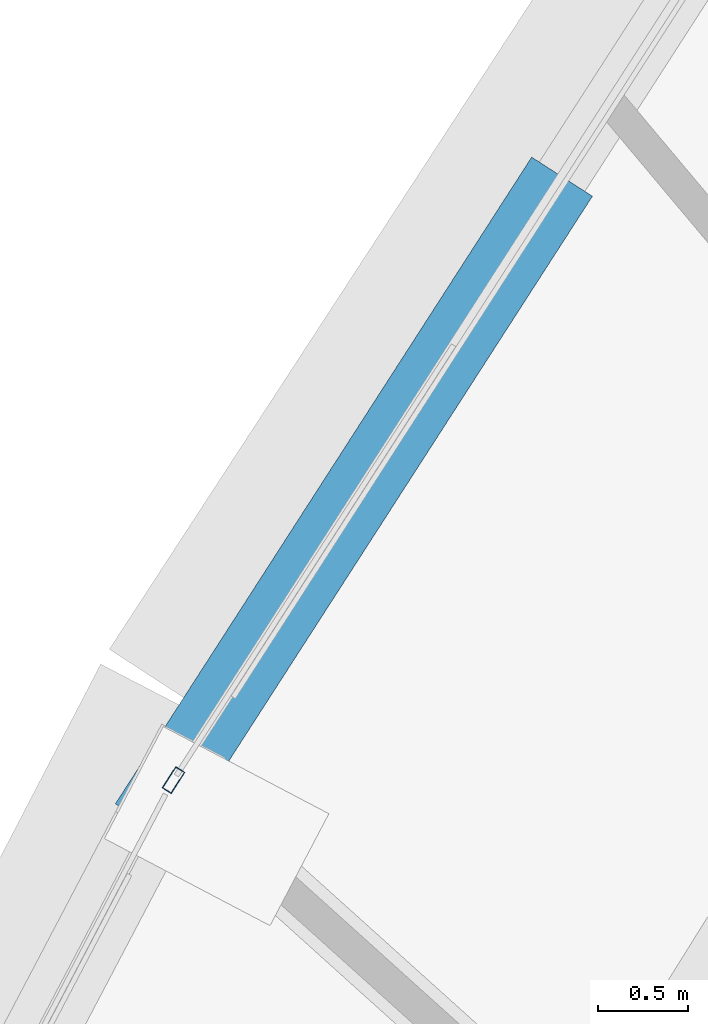
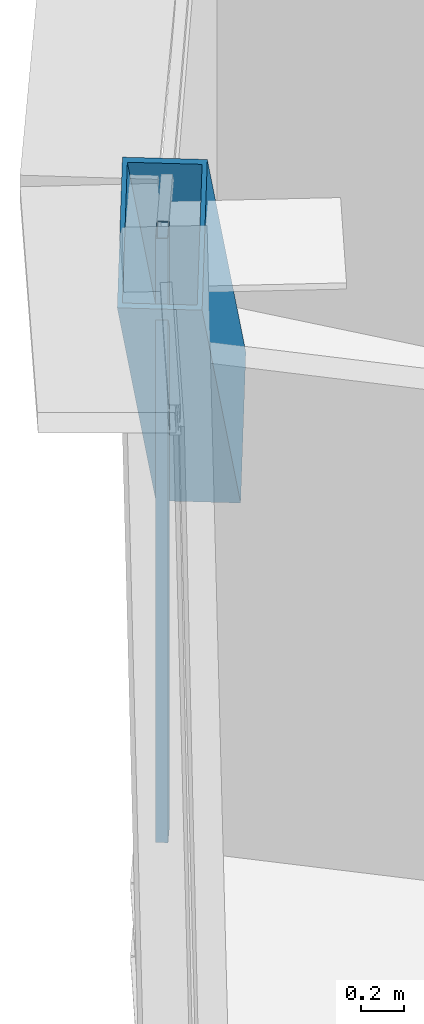
# One storey, part 14 of 35: 2 members, 1 element without a shape of its own.
"""IFC4 building model written with IfcOpenShell, lengths in metres."""

import ifcopenshell
import ifcopenshell.guid

model = None  # the IFC model being written
_history = None  # IfcOwnerHistory: only IFC2X3 demands one
_inside = {}  # id of a spatial element -> (the spatial element, [elements in it])
_under = {}  # id of a project, library or spatial element -> (it, [spatial elements below it])
_declared = {}  # id of a project -> (the project, [libraries it declares])
_typed = {}  # id of a type object -> (the type object, [elements of that type])
_made_of = {}  # id of a material, layer set ... -> (it, [elements and type objects made of it])


def new_model(schema):
    """Start an empty IFC model of exactly this schema.

    Asked for "IFC4X3", IfcOpenShell would pick the latest addendum, in which some entities
    have other attributes; the version numbers below select the first issue.
    IFC2X3 requires an IfcOwnerHistory on every rooted entity: one is made here for all.
    """
    global model, _history
    if schema == "IFC4X3":
        model = ifcopenshell.file(schema_version=(4, 3, 0, 0))
    else:
        model = ifcopenshell.file(schema=schema)
    _inside.clear()
    _under.clear()
    _declared.clear()
    _typed.clear()
    _made_of.clear()
    _history = None
    if model.schema == "IFC2X3":
        org = make("IfcOrganization", Name="unknown")
        user = make(
            "IfcPersonAndOrganization",
            ThePerson=make("IfcPerson", FamilyName="unknown"),
            TheOrganization=org,
        )
        app = make(
            "IfcApplication",
            ApplicationDeveloper=org,
            Version="unknown",
            ApplicationFullName="unknown",
            ApplicationIdentifier="unknown",
        )
        _history = make(
            "IfcOwnerHistory",
            OwningUser=user,
            OwningApplication=app,
            ChangeAction="ADDED",
            CreationDate=0,
        )
    return model


def make(cls, **values):
    """One entity of the class cls with the attributes given. An attribute that is None is left unset."""
    return model.create_entity(
        cls, **{name: value for name, value in values.items() if value is not None}
    )


def rooted(cls, **values):
    """An entity with a GlobalId (a new one), such as an element, a storey or a relation."""
    return make(cls, GlobalId=ifcopenshell.guid.new(), OwnerHistory=_history, **values)


def si_unit(unit_type, name, prefix=None):
    """IfcSIUnit, for example si_unit("LENGTHUNIT", "METRE", prefix="MILLI")."""
    return make("IfcSIUnit", UnitType=unit_type, Prefix=prefix, Name=name)


def assignment(units):
    """IfcUnitAssignment: the units of a project."""
    return None if units is None else make("IfcUnitAssignment", Units=units)


def point(xyz):
    """IfcCartesianPoint."""
    return None if xyz is None else make("IfcCartesianPoint", Coordinates=xyz)


def direction(xyz):
    """IfcDirection."""
    return None if xyz is None else make("IfcDirection", DirectionRatios=xyz)


def frame(location, z_axis=None, x_axis=None):
    """IfcAxis2Placement3D, a coordinate frame: its origin and axes. An axis left out is left unset."""
    return make(
        "IfcAxis2Placement3D",
        Location=point(location),
        Axis=direction(z_axis),
        RefDirection=direction(x_axis),
    )


def frame_2d(location, x_axis=None):
    """IfcAxis2Placement2D, a coordinate frame in the plane: its origin and x axis."""
    return make(
        "IfcAxis2Placement2D", Location=point(location), RefDirection=direction(x_axis)
    )


def origin():
    """The frame at (0, 0, 0) with its axes left unset."""
    return frame((0.0, 0.0, 0.0))


def origin_2d():
    """The frame at (0, 0) in the plane with its x axis left unset."""
    return frame_2d((0.0, 0.0))


def place(relative_to, where):
    """IfcLocalPlacement: puts the frame where relative to a parent placement (None: the world)."""
    return make(
        "IfcLocalPlacement", PlacementRelTo=relative_to, RelativePlacement=where
    )


def context(
    kind, dimensions, precision=None, world=None, true_north=None, identifier=None
):
    """IfcGeometricRepresentationContext, for example the 3D "Model" context."""
    return make(
        "IfcGeometricRepresentationContext",
        ContextIdentifier=identifier,
        ContextType=kind,
        CoordinateSpaceDimension=dimensions,
        Precision=precision,
        WorldCoordinateSystem=world,
        TrueNorth=true_north,
    )


def subcontext(parent, identifier, kind, view, scale=None):
    """IfcGeometricRepresentationSubContext, for example "Body" below "Model"."""
    return make(
        "IfcGeometricRepresentationSubContext",
        ContextIdentifier=identifier,
        ContextType=kind,
        ParentContext=parent,
        TargetScale=scale,
        TargetView=view,
    )


def project(units=None, contexts=None):
    """IfcProject with its units and contexts."""
    return rooted(
        "IfcProject",
        Name="project",
        RepresentationContexts=contexts,
        UnitsInContext=assignment(units),
    )


def spatial(cls, under=None, at=None, **own):
    """A site, building, storey or space (cls), placed at a placement, below another one or the project."""
    s = rooted(cls, ObjectPlacement=at, **own)
    if under is not None:
        _under.setdefault(under.id(), (under, []))[1].append(s)
    return s


def profile(cls, at=None, kind="AREA", **sizes):
    """A parametric profile (cls). Its sizes go by their IFC names, for example OverallWidth=200.0."""
    return make(cls, ProfileType=kind, Position=at, **sizes)


def hollow_rectangle(**sizes):
    """IfcRectangleHollowProfileDef."""
    return profile("IfcRectangleHollowProfileDef", **sizes)


def extrude(swept, where, along, depth):
    """IfcExtrudedAreaSolid: the profile swept, set in the frame where, extruded along a direction by depth."""
    return make(
        "IfcExtrudedAreaSolid",
        SweptArea=swept,
        Position=where,
        ExtrudedDirection=direction(along),
        Depth=depth,
    )


def shape(context_of_items, identifier, shape_type, items):
    """IfcShapeRepresentation: the items that make up one representation, for example the "Body"."""
    return make(
        "IfcShapeRepresentation",
        ContextOfItems=context_of_items,
        RepresentationIdentifier=identifier,
        RepresentationType=shape_type,
        Items=items,
    )


def source(mapping_origin, context_of_items, identifier, shape_type, items):
    """IfcRepresentationMap: a shape defined once, which mapped items show again and again."""
    return make(
        "IfcRepresentationMap",
        MappingOrigin=mapping_origin,
        MappedRepresentation=shape(context_of_items, identifier, shape_type, items),
    )


def transform(
    local_origin,
    x_axis=None,
    y_axis=None,
    z_axis=None,
    scale=None,
    scale2=None,
    scale3=None,
    uniform=True,
):
    """IfcCartesianTransformationOperator3D, or its non-uniform kind. x_axis, y_axis, z_axis: its Axis1, 2, 3."""
    if uniform:
        return make(
            "IfcCartesianTransformationOperator3D",
            Axis1=direction(x_axis),
            Axis2=direction(y_axis),
            LocalOrigin=point(local_origin),
            Scale=scale,
            Axis3=direction(z_axis),
        )
    return make(
        "IfcCartesianTransformationOperator3DnonUniform",
        Axis1=direction(x_axis),
        Axis2=direction(y_axis),
        LocalOrigin=point(local_origin),
        Scale=scale,
        Axis3=direction(z_axis),
        Scale2=scale2,
        Scale3=scale3,
    )


def mapped(mapping_source, mapping_target):
    """IfcMappedItem: shows the shape of a source again, moved by a transform."""
    return make(
        "IfcMappedItem", MappingSource=mapping_source, MappingTarget=mapping_target
    )


def material(Name=None, Category=None):
    """IfcMaterial."""
    return make("IfcMaterial", Name=Name, Category=Category)


def layer(
    of_material, thickness, ventilated=None, Name=None, Category=None, Priority=None
):
    """IfcMaterialLayer: one layer of a wall or slab, of a material (None: an air gap)."""
    return make(
        "IfcMaterialLayer",
        Material=of_material,
        LayerThickness=thickness,
        IsVentilated=ventilated,
        Name=Name,
        Category=Category,
        Priority=Priority,
    )


def layer_set(layers, Name=None):
    """IfcMaterialLayerSet."""
    return make("IfcMaterialLayerSet", MaterialLayers=layers, LayerSetName=Name)


def material_profile(
    of_material, cross_section, Name=None, Category=None, Priority=None
):
    """IfcMaterialProfile: a cross section and its material."""
    return make(
        "IfcMaterialProfile",
        Name=Name,
        Material=of_material,
        Profile=cross_section,
        Priority=Priority,
        Category=Category,
    )


def profile_set(profiles, Name=None, composite=None):
    """IfcMaterialProfileSet."""
    return make(
        "IfcMaterialProfileSet",
        Name=Name,
        MaterialProfiles=profiles,
        CompositeProfile=composite,
    )


def made_of(thing, what):
    """Note that an element or type object is made of a material, layer set ...; save() writes the relation."""
    if what is not None:
        _made_of.setdefault(what.id(), (what, []))[1].append(thing)
    return thing


def type_object(cls, material=None, **own):
    """A type object (cls), such as IfcWallType, which elements share."""
    return made_of(rooted(cls, **own), material)


def element(
    cls,
    number,
    at=None,
    inside=None,
    cuts=None,
    type_object=None,
    material=None,
    context=None,
    identifier="Body",
    shape_type=None,
    held_by="IfcProductDefinitionShape",
    body=None,
    shapes=None,
    **own,
):
    """One element of the class cls, such as IfcWall. Its Tag is "e" and its number.

    at: its placement. inside: the storey or other place that contains it. cuts: it is an
    opening in that element (IfcRelVoidsElement). A single representation is given by context,
    identifier, shape_type and body (its items); several are given by shapes. held_by: the class
    of the entity that holds the representations. save() writes the other relations.
    """
    e = rooted(cls, Tag="e%d" % number, ObjectPlacement=at, **own)
    if body is not None:
        shapes = [shape(context, identifier, shape_type, body)]
    if shapes is not None:
        e.Representation = make(held_by, Representations=shapes)
    if inside is not None:
        _inside.setdefault(inside.id(), (inside, []))[1].append(e)
    if cuts is not None:
        rooted(
            "IfcRelVoidsElement", RelatingBuildingElement=cuts, RelatedOpeningElement=e
        )
    if type_object is not None:
        _typed.setdefault(type_object.id(), (type_object, []))[1].append(e)
    return made_of(e, material)


def aggregate(whole, parts):
    """IfcRelAggregates: a whole, such as a stair, and the parts it consists of."""
    return rooted("IfcRelAggregates", RelatingObject=whole, RelatedObjects=parts)


def save(model, path):
    """Write the relations noted so far, then the file.

    IfcRelAggregates (storeys below a building ...), IfcRelContainedInSpatialStructure (elements
    in a storey), IfcRelDefinesByType, IfcRelAssociatesMaterial and IfcRelDeclares: one each for
    every whole, place, type object, material and project.
    """
    for whole, parts in _under.values():
        aggregate(whole, parts)
    for where, things in _inside.values():
        rooted(
            "IfcRelContainedInSpatialStructure",
            RelatedElements=things,
            RelatingStructure=where,
        )
    for kind, things in _typed.values():
        rooted("IfcRelDefinesByType", RelatedObjects=things, RelatingType=kind)
    for what, things in _made_of.values():
        rooted("IfcRelAssociatesMaterial", RelatedObjects=things, RelatingMaterial=what)
    for by, libraries in _declared.values():
        rooted("IfcRelDeclares", RelatingContext=by, RelatedDefinitions=libraries)
    model.write(path)


model = new_model("IFC4")

# Units and contexts
model_context = context("Model", 3, precision=1e-05, world=origin(), true_north=direction((0.0, 1.0)))
body_context = subcontext(model_context, "Body", "Model", "MODEL_VIEW")
ifc_project = project(units=[si_unit("LENGTHUNIT", "METRE"), si_unit("AREAUNIT", "SQUARE_METRE"), si_unit("VOLUMEUNIT", "CUBIC_METRE"), si_unit("PLANEANGLEUNIT", "RADIAN"), si_unit("MASSUNIT", "GRAM", prefix="KILO"), si_unit("THERMODYNAMICTEMPERATUREUNIT", "KELVIN"), si_unit("POWERUNIT", "WATT")], contexts=[model_context])

# Site, building, storey
site_placement = place(None, origin())
site = spatial("IfcSite", under=ifc_project, at=site_placement, CompositionType="ELEMENT")
building_placement = place(site_placement, origin())
building = spatial("IfcBuilding", under=site, at=building_placement, Name="Yunzhuo Pagoda Commons", CompositionType="ELEMENT")
storey_placement = place(building_placement, frame((0.0, 0.0, 237.070068359375)))
storey = spatial("IfcBuildingStorey", under=building, at=storey_placement, Name="L59", CompositionType="ELEMENT", Elevation=237.070068359375)

# Member
ifc_material_1 = material(Name="Structural steel Q355B", Category="steel")
ifc_material_profile_1 = material_profile(ifc_material_1, hollow_rectangle(XDim=0.39990234375, YDim=0.719970703125, WallThickness=0.02392578125, at=origin_2d()), Name="Structural steel Q355B")
ifc_profile_set_1 = profile_set([ifc_material_profile_1], Name="Structural steel Q355B")
member_type_1 = type_object("IfcMemberType", Name="M-DL2 Brace BOX 720x400x24", PredefinedType="BRACE", material=ifc_profile_set_1)
shared_shape_1 = source(origin(), body_context, "Body", "SweptSolid", [
    extrude(hollow_rectangle(XDim=0.39990234375, YDim=0.719970703125, WallThickness=0.02392578125, at=origin_2d()), origin(), (0.0, 0.0, 1.0), 5.288818359375),
])
member_1_placement = place(storey_placement, frame((27.108154296875, 57.490966796875, -0.260009765625), z_axis=(-0.383748711328, -0.596096127677, 0.705270397169), x_axis=(0.840829218209, -0.541300494925, 0.0)))
element("IfcMember", 1, at=member_1_placement, inside=storey, type_object=member_type_1, Name="L59 facade diamond brace F3.1R", PredefinedType="BRACE", context=body_context, shape_type="MappedRepresentation", body=[
    mapped(shared_shape_1, transform((0.0, 0.0, 0.0), scale=1.0)),
])

# Curtain wall, member
ifc_material_2 = material(Name="Anodized aluminium 6063-T6", Category="aluminium")
ifc_layer = layer(ifc_material_2, 0.139892578125)
ifc_layer_set = layer_set([ifc_layer], Name="Anodized aluminium 6063-T6")
curtain_wall_type = type_object("IfcCurtainWallType", Name="CW-HI High-Zone Ribbon Curtain Wall", PredefinedType="NOTDEFINED", material=ifc_layer_set)
curtain_wall_placement = place(storey_placement, origin())
curtain_wall = element("IfcCurtainWall", 2, at=curtain_wall_placement, inside=storey, type_object=curtain_wall_type, Name="L59 curtain wall CW-L59-F3B2", PredefinedType="NOTDEFINED")
ifc_material_profile_2 = material_profile(ifc_material_2, hollow_rectangle(XDim=0.06005859375, YDim=0.139892578125, WallThickness=0.00341796875, at=origin_2d()), Name="Anodized aluminium 6063-T6")
ifc_profile_set_2 = profile_set([ifc_material_profile_2], Name="Anodized aluminium 6063-T6")
member_type_2 = type_object("IfcMemberType", Name="CW-HI-M Mullion RHS 140x60x3.5", PredefinedType="MULLION", material=ifc_profile_set_2)
shared_shape_2 = source(origin(), body_context, "Body", "SweptSolid", [
    extrude(hollow_rectangle(XDim=0.06005859375, YDim=0.139892578125, WallThickness=0.00341796875, at=origin_2d()), origin(), (0.0, 0.0, 1.0), 3.469970703125),
])
member_2_placement = place(storey_placement, frame((25.0947265625, 54.364013671875, 0.0), z_axis=(0.0, 0.0, 1.0), x_axis=(0.840807373352, -0.541334426133, 0.0)))
member_2 = element("IfcMember", 3, at=member_2_placement, type_object=member_type_2, Name="CW mullion 2", PredefinedType="MULLION", context=body_context, shape_type="MappedRepresentation", body=[
    mapped(shared_shape_2, transform((0.0, 0.0, 0.0), scale=1.0)),
])
aggregate(curtain_wall, [member_2])

save(model, "model.ifc")
